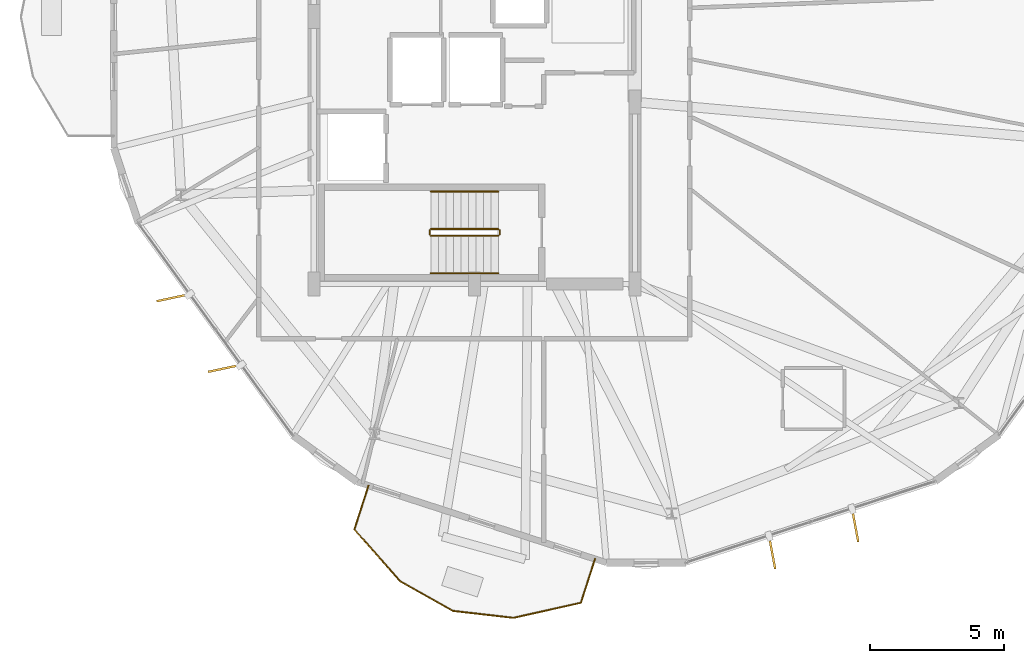
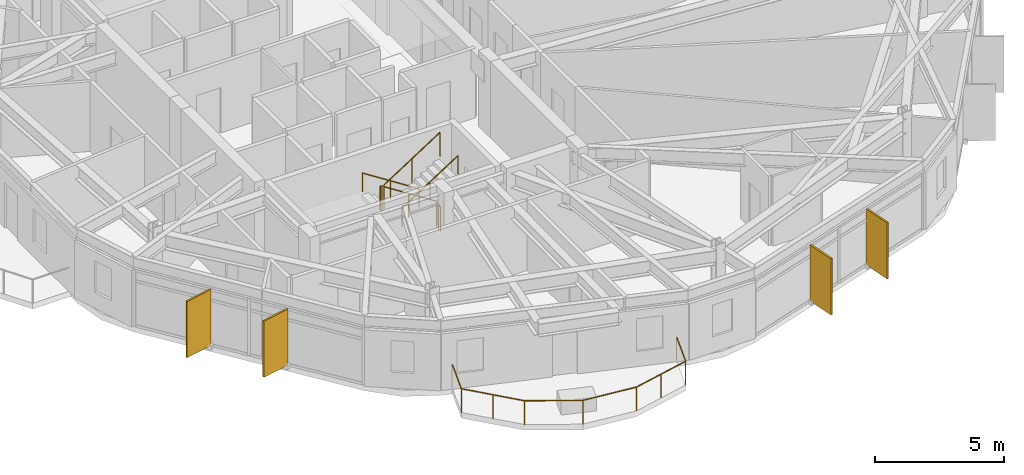
# One storey, part 29 of 31: 7 railings, 4 shading devices.
"""IFC4 building model written with IfcOpenShell, lengths in metres."""

from ifc_helpers import new_model, si_unit, direction, frame, origin, origin_2d, place, context, subcontext, project, spatial, rectangle, circle, extrude, material, layer, layer_set, type_object, element, save


model = new_model("IFC4")

# Units and contexts
model_context = context("Model", 3, precision=1e-05, world=origin(), true_north=direction((0.0, 1.0)))
body_context = subcontext(model_context, "Body", "Model", "MODEL_VIEW")
ifc_project = project(units=[si_unit("LENGTHUNIT", "METRE"), si_unit("AREAUNIT", "SQUARE_METRE"), si_unit("VOLUMEUNIT", "CUBIC_METRE"), si_unit("PLANEANGLEUNIT", "RADIAN"), si_unit("MASSUNIT", "GRAM", prefix="KILO")], contexts=[model_context])

# Site, building, storey
site_placement = place(None, origin())
site = spatial("IfcSite", under=ifc_project, at=site_placement, CompositionType="ELEMENT")
building_placement = place(site_placement, origin())
building = spatial("IfcBuilding", under=site, at=building_placement, Name="Soratama Intermodal Tower", CompositionType="ELEMENT")
storey_placement = place(building_placement, frame((0.0, 0.0, 230.199951171875)))
storey = spatial("IfcBuildingStorey", under=building, at=storey_placement, Name="L58", CompositionType="ELEMENT", Elevation=230.199951171875)

# Railings
ifc_material_1 = material(Name="Laminated glass and stainless steel balustrade", Category="steel")
railing_type_1 = type_object("IfcRailingType", Name="RL-BAL-1150", PredefinedType="BALUSTRADE", material=ifc_material_1)
railing_1_placement = place(storey_placement, frame((43.110107421875, 4.718994140625, 0.0)))
element("IfcRailing", 1, at=railing_1_placement, inside=storey, type_object=railing_type_1, Name="L58 Balcony Balustrade 3", PredefinedType="BALUSTRADE", context=body_context, shape_type="SweptSolid", body=[
    extrude(circle(Radius=0.02392578125, at=origin_2d()), frame((0.0, 0.0, 1.1259765625), z_axis=(-0.308126354496, -0.951345441817, 0.0), x_axis=(0.951345441817, -0.308126354496, 0.0)), (0.0, 0.0, 1.0), 1.72021484375),
    extrude(circle(Radius=0.02392578125, at=origin_2d()), frame((-0.530029296875, -1.636474609375, 1.1259765625), z_axis=(-0.976022137803, -0.217671280878, 0.0), x_axis=(0.217671280878, -0.976022137803, 0.0)), (0.0, 0.0, 1.0), 2.58203125),
    extrude(circle(Radius=0.02392578125, at=origin_2d()), frame((-3.050048828125, -2.198486328125, 1.1259765625), z_axis=(-0.993513587012, 0.113713466321, 0.0), x_axis=(-0.113713466321, -0.993513587012, 0.0)), (0.0, 0.0, 1.0), 2.269287109375),
    extrude(circle(Radius=0.02392578125, at=origin_2d()), frame((-5.3046875, -1.9404296875, 1.1259765625), z_axis=(-0.871566917214, 0.490276563603, 0.0), x_axis=(-0.490276563603, -0.871566917214, 0.0)), (0.0, 0.0, 1.0), 2.269287109375),
    extrude(circle(Radius=0.02392578125, at=origin_2d()), frame((-7.282470703125, -0.827880859375, 1.1259765625), z_axis=(-0.66332436336, 0.748332004509, 0.0), x_axis=(-0.748332004509, -0.66332436336, 0.0)), (0.0, 0.0, 1.0), 2.58203125),
    extrude(circle(Radius=0.02392578125, at=origin_2d()), frame((-8.9951171875, 1.104248046875, 1.1259765625), z_axis=(0.308126354496, 0.951345441817, 0.0), x_axis=(-0.951345441817, 0.308126354496, 0.0)), (0.0, 0.0, 1.0), 1.72021484375),
    extrude(circle(Radius=0.02099609375, at=origin_2d()), origin(), (0.0, 0.0, 1.0), 1.101806640625),
    extrude(circle(Radius=0.02099609375, at=origin_2d()), frame((-0.530029296875, -1.636474609375, 0.0)), (0.0, 0.0, 1.0), 1.101806640625),
    extrude(circle(Radius=0.02099609375, at=origin_2d()), frame((-1.7900390625, -1.91748046875, 0.0)), (0.0, 0.0, 1.0), 1.101806640625),
    extrude(circle(Radius=0.02099609375, at=origin_2d()), frame((-3.050048828125, -2.198486328125, 0.0)), (0.0, 0.0, 1.0), 1.101806640625),
    extrude(circle(Radius=0.02099609375, at=origin_2d()), frame((-5.3046875, -1.9404296875, 0.0)), (0.0, 0.0, 1.0), 1.101806640625),
    extrude(circle(Radius=0.02099609375, at=origin_2d()), frame((-7.282470703125, -0.827880859375, 0.0)), (0.0, 0.0, 1.0), 1.101806640625),
    extrude(circle(Radius=0.02099609375, at=origin_2d()), frame((-8.138671875, 0.13818359375, 0.0)), (0.0, 0.0, 1.0), 1.101806640625),
    extrude(circle(Radius=0.02099609375, at=origin_2d()), frame((-8.9951171875, 1.104248046875, 0.0)), (0.0, 0.0, 1.0), 1.101806640625),
    extrude(circle(Radius=0.02099609375, at=origin_2d()), frame((-8.465087890625, 2.74072265625, 0.0)), (0.0, 0.0, 1.0), 1.101806640625),
])
ifc_material_2 = material(Name="Painted steel stair guardrail", Category="steel")
railing_type_2 = type_object("IfcRailingType", Name="RL-STAIR-GUARD", PredefinedType="GUARDRAIL", material=ifc_material_2)
railing_2_placement = place(storey_placement, frame((39.5, 17.050048828125, 0.179931640625)))
element("IfcRailing", 2, at=railing_2_placement, inside=storey, type_object=railing_type_2, Name="L58 ST-1 stair guard 1", PredefinedType="GUARDRAIL", context=body_context, shape_type="SweptSolid", body=[
    extrude(circle(Radius=0.02392578125, at=origin_2d()), frame((0.0, 0.0, 1.1259765625), z_axis=(-0.841162588446, 0.0, 0.540782303519), x_axis=(0.0, -1.0, 0.0)), (0.0, 0.0, 1.0), 2.995849609375),
    extrude(circle(Radius=0.02099609375, at=origin_2d()), origin(), (0.0, 0.0, 1.0), 1.101806640625),
    extrude(circle(Radius=0.02099609375, at=origin_2d()), frame((-1.260009765625, 0.0, 0.81005859375)), (0.0, 0.0, 1.0), 1.101806640625),
    extrude(circle(Radius=0.02099609375, at=origin_2d()), frame((-2.52001953125, 0.0, 1.6201171875)), (0.0, 0.0, 1.0), 1.101806640625),
])
railing_3_placement = place(storey_placement, frame((36.929931640625, 17.0, 1.800048828125)))
element("IfcRailing", 3, at=railing_3_placement, inside=storey, type_object=railing_type_2, Name="L58 ST-1 stair guard 2", PredefinedType="GUARDRAIL", context=body_context, shape_type="SweptSolid", body=[
    extrude(circle(Radius=0.02392578125, at=origin_2d()), frame((0.0, 0.0, 1.1259765625), z_axis=(0.0, -1.0, 0.0), x_axis=(1.0, 0.0, 0.0)), (0.0, 0.0, 1.0), 0.14990234375),
    extrude(circle(Radius=0.02099609375, at=origin_2d()), origin(), (0.0, 0.0, 1.0), 1.101806640625),
    extrude(circle(Radius=0.02099609375, at=origin_2d()), frame((0.0, -0.14990234375, 0.0)), (0.0, 0.0, 1.0), 1.101806640625),
])
railing_4_placement = place(storey_placement, frame((36.97998046875, 16.800048828125, 1.97998046875)))
element("IfcRailing", 4, at=railing_4_placement, inside=storey, type_object=railing_type_2, Name="L58 ST-1 stair guard 3", PredefinedType="GUARDRAIL", context=body_context, shape_type="SweptSolid", body=[
    extrude(circle(Radius=0.02392578125, at=origin_2d()), frame((0.0, 0.0, 1.1259765625), z_axis=(0.841162588446, 0.0, 0.540782303519), x_axis=(0.0, 1.0, 0.0)), (0.0, 0.0, 1.0), 2.995849609375),
    extrude(circle(Radius=0.02099609375, at=origin_2d()), origin(), (0.0, 0.0, 1.0), 1.101806640625),
    extrude(circle(Radius=0.02099609375, at=origin_2d()), frame((1.260009765625, 0.0, 0.81005859375)), (0.0, 0.0, 1.0), 1.101806640625),
    extrude(circle(Radius=0.02099609375, at=origin_2d()), frame((2.52001953125, 0.0, 1.6201171875)), (0.0, 0.0, 1.0), 1.101806640625),
])
railing_5_placement = place(storey_placement, frame((39.550048828125, 17.0, 0.0)))
element("IfcRailing", 5, at=railing_5_placement, inside=storey, type_object=railing_type_2, Name="L58 ST-1 stair guard 4", PredefinedType="GUARDRAIL", context=body_context, shape_type="SweptSolid", body=[
    extrude(circle(Radius=0.02392578125, at=origin_2d()), frame((0.0, 0.0, 1.1259765625), z_axis=(0.0, -1.0, 0.0), x_axis=(1.0, 0.0, 0.0)), (0.0, 0.0, 1.0), 0.14990234375),
    extrude(circle(Radius=0.02099609375, at=origin_2d()), origin(), (0.0, 0.0, 1.0), 1.101806640625),
    extrude(circle(Radius=0.02099609375, at=origin_2d()), frame((0.0, -0.14990234375, 0.0)), (0.0, 0.0, 1.0), 1.101806640625),
])
ifc_material_3 = material(Name="Brushed stainless steel handrail", Category="steel")
railing_type_3 = type_object("IfcRailingType", Name="RL-STAIR-HAND", PredefinedType="HANDRAIL", material=ifc_material_3)
railing_6_placement = place(storey_placement, frame((39.5, 18.449951171875, 0.179931640625)))
element("IfcRailing", 6, at=railing_6_placement, inside=storey, type_object=railing_type_3, Name="L58 ST-1 stair handrail 1", PredefinedType="HANDRAIL", context=body_context, shape_type="SweptSolid", body=[
    extrude(circle(Radius=0.02392578125, at=origin_2d()), frame((0.0, 0.0, 0.8759765625), z_axis=(-0.841162588446, 0.0, 0.540782303519), x_axis=(0.0, -1.0, 0.0)), (0.0, 0.0, 1.0), 2.995849609375),
    extrude(circle(Radius=0.02099609375, at=origin_2d()), origin(), (0.0, 0.0, 1.0), 0.851806640625),
    extrude(circle(Radius=0.02099609375, at=origin_2d()), frame((-1.260009765625, 0.0, 0.81005859375)), (0.0, 0.0, 1.0), 0.851806640625),
    extrude(circle(Radius=0.02099609375, at=origin_2d()), frame((-2.52001953125, 0.0, 1.6201171875)), (0.0, 0.0, 1.0), 0.851806640625),
])
railing_7_placement = place(storey_placement, frame((36.97998046875, 15.39990234375, 1.97998046875)))
element("IfcRailing", 7, at=railing_7_placement, inside=storey, type_object=railing_type_3, Name="L58 ST-1 stair handrail 2", PredefinedType="HANDRAIL", context=body_context, shape_type="SweptSolid", body=[
    extrude(circle(Radius=0.02392578125, at=origin_2d()), frame((0.0, 0.0, 0.8759765625), z_axis=(0.841162588446, 0.0, 0.540782303519), x_axis=(0.0, 1.0, 0.0)), (0.0, 0.0, 1.0), 2.995849609375),
    extrude(circle(Radius=0.02099609375, at=origin_2d()), origin(), (0.0, 0.0, 1.0), 0.851806640625),
    extrude(circle(Radius=0.02099609375, at=origin_2d()), frame((1.260009765625, 0.0, 0.81005859375)), (0.0, 0.0, 1.0), 0.851806640625),
    extrude(circle(Radius=0.02099609375, at=origin_2d()), frame((2.52001953125, 0.0, 1.6201171875)), (0.0, 0.0, 1.0), 0.851806640625),
])

# Shading devices
ifc_material_4 = material(Name="Champagne anodised aluminium solar fin", Category="aluminium")
ifc_layer = layer(ifc_material_4, 0.080078125)
ifc_layer_set = layer_set([ifc_layer], Name="Champagne anodised aluminium solar fin")
shading_device_type = type_object("IfcShadingDeviceType", Name="SH-FIN-1250", PredefinedType="USERDEFINED", material=ifc_layer_set)
for number, where, z_axis, x_axis, name in (
    (8, (27.33935546875, 14.485107421875, 0.02001953125), (0.0, 0.0, 1.0), (-0.977929339831, -0.208935890402, 0.0), "L58 Solar Fin F05-1"),
    (9, (29.26171875, 11.844970703125, 0.02001953125), (0.0, 0.0, 1.0), (-0.977929339831, -0.208935890402, 0.0), "L58 Solar Fin F05-2"),
    (10, (49.728759765625, 4.962158203125, 0.02001953125), (0.0, 0.0, 1.0), (0.184637524056, -0.982806687355, 0.0), "L58 Solar Fin F07-1"),
    (11, (52.833740234375, 5.974609375, 0.02001953125), (0.0, 0.0, 1.0), (0.184637524056, -0.982806687355, 0.0), "L58 Solar Fin F07-2"),
):
    element("IfcShadingDevice", number, at=place(storey_placement, frame(where, z_axis=z_axis, x_axis=x_axis)), inside=storey, type_object=shading_device_type, Name=name, ObjectType="FIN", PredefinedType="USERDEFINED", context=body_context, shape_type="SweptSolid", body=[
        extrude(rectangle(XDim=1.25, YDim=0.080078125, at=origin_2d()), origin(), (0.0, 0.0, 1.0), 2.658935546875),
    ])

save(model, "model.ifc")
